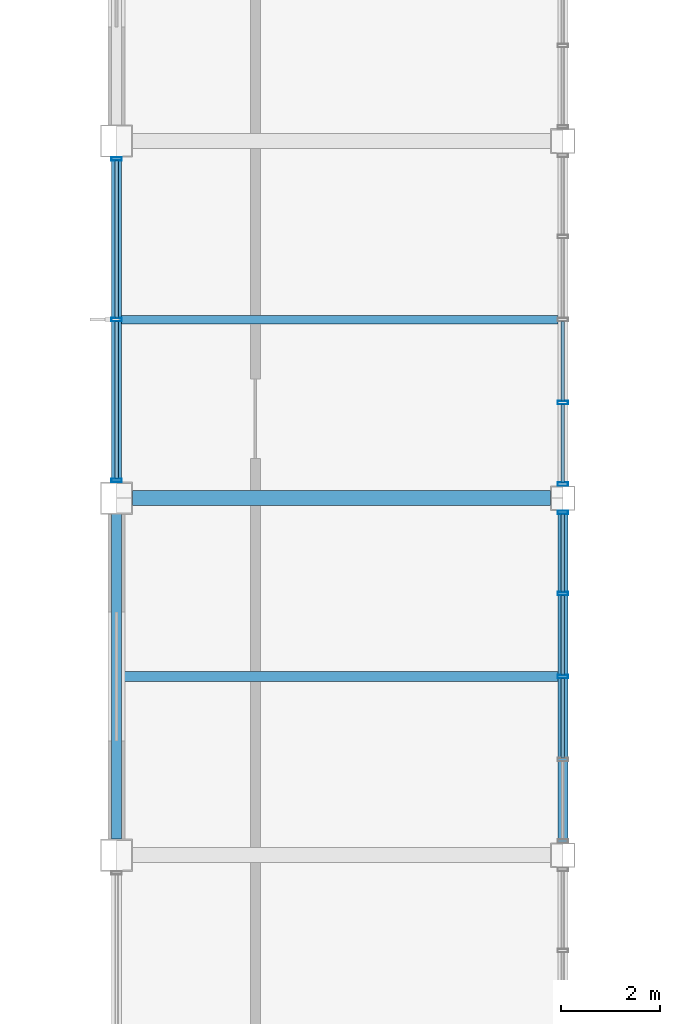
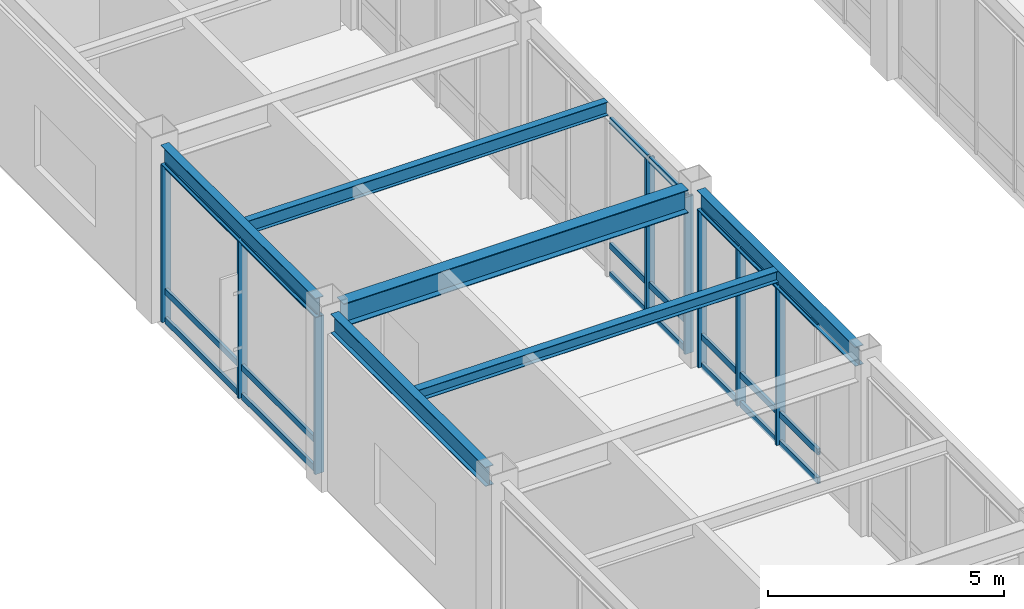
# One storey, part 43 of 112: 29 members, 6 beams, 3 elements without a shape of their own.
"""IFC4 building model written with IfcOpenShell, lengths in metres."""

from ifc_helpers import new_model, si_unit, direction, frame, origin, origin_2d, place, context, subcontext, project, spatial, hollow_rectangle, i_section, extrude, material, material_profile, profile_set, type_object, element, aggregate, save


model = new_model("IFC4")

# Units and contexts
model_context = context("Model", 3, precision=1e-05, world=origin(), true_north=direction((0.0, 1.0)))
body_context = subcontext(model_context, "Body", "Model", "MODEL_VIEW")
ifc_project = project(units=[si_unit("LENGTHUNIT", "METRE"), si_unit("AREAUNIT", "SQUARE_METRE"), si_unit("VOLUMEUNIT", "CUBIC_METRE"), si_unit("PLANEANGLEUNIT", "RADIAN"), si_unit("MASSUNIT", "GRAM", prefix="KILO")], contexts=[model_context])

# Site, building, storey
site_placement = place(None, origin())
site = spatial("IfcSite", under=ifc_project, at=site_placement, CompositionType="ELEMENT")
building_placement = place(site_placement, origin())
building = spatial("IfcBuilding", under=site, at=building_placement, Name="Kazanami Central Library", CompositionType="ELEMENT")
storey_placement = place(building_placement, origin())
storey = spatial("IfcBuildingStorey", under=building, at=storey_placement, Name="L01", CompositionType="ELEMENT", Elevation=0.0)

# Beams
ifc_material_1 = material(Name="Steel SN400B (235 MPa)", Category="steel")
ifc_material_profile_1 = material_profile(ifc_material_1, i_section(OverallWidth=0.175048828125, OverallDepth=0.35009765625, WebThickness=0.007080078125, FlangeThickness=0.010986328125, at=origin_2d()), Name="H-350x175x7x11")
ifc_profile_set_1 = profile_set([ifc_material_profile_1], Name="Steel SN400B (235 MPa)")
beam_type_1 = type_object("IfcBeamType", Name="BM-B-S2", PredefinedType="JOIST", material=ifc_profile_set_1)
beam_1_placement = place(storey_placement, frame((99.097900390625, 54.0, 4.3798828125), z_axis=(1.0, 0.0, 0.0), x_axis=(0.0, 1.0, 0.0)))
element("IfcBeam", 1, at=beam_1_placement, inside=storey, type_object=beam_type_1, Name="Composite Secondary Joist B-S2 L01 Bay 12/H.1", PredefinedType="JOIST", context=body_context, shape_type="SweptSolid", body=[
    extrude(i_section(OverallWidth=0.175048828125, OverallDepth=0.35009765625, WebThickness=0.007080078125, FlangeThickness=0.010986328125, at=origin_2d()), origin(), (0.0, 0.0, 1.0), 8.80419921875),
])
ifc_material_profile_2 = material_profile(ifc_material_1, i_section(OverallWidth=0.199951171875, OverallDepth=0.2939453125, WebThickness=0.008056640625, FlangeThickness=0.011962890625, at=origin_2d()), Name="H-294x200x8x12")
ifc_profile_set_2 = profile_set([ifc_material_profile_2], Name="Steel SN400B (235 MPa)")
beam_type_2 = type_object("IfcBeamType", Name="BM-B-S5", PredefinedType="JOIST", material=ifc_profile_set_2)
beam_2_placement = place(storey_placement, frame((99.097900390625, 46.800048828125, 4.407958984375), z_axis=(1.0, 0.0, 0.0), x_axis=(0.0, 1.0, 0.0)))
element("IfcBeam", 2, at=beam_2_placement, inside=storey, type_object=beam_type_2, Name="Composite Secondary Joist B-S5 L01 Bay 12/G.1", PredefinedType="JOIST", context=body_context, shape_type="SweptSolid", body=[
    extrude(i_section(OverallWidth=0.199951171875, OverallDepth=0.2939453125, WebThickness=0.008056640625, FlangeThickness=0.011962890625, at=origin_2d()), origin(), (0.0, 0.0, 1.0), 8.80419921875),
])
ifc_material_2 = material(Name="Steel SN490B (325 MPa)", Category="steel")
ifc_material_profile_3 = material_profile(ifc_material_2, i_section(OverallWidth=0.300048828125, OverallDepth=0.60009765625, WebThickness=0.011962890625, FlangeThickness=0.02001953125, at=origin_2d()), Name="H-600x300x12x20")
ifc_profile_set_3 = profile_set([ifc_material_profile_3], Name="Steel SN490B (325 MPa)")
beam_type_3 = type_object("IfcBeamType", Name="BM-G-X1", PredefinedType="BEAM", material=ifc_profile_set_3)
beam_3_placement = place(storey_placement, frame((99.322998046875, 50.39990234375, 4.2548828125), z_axis=(1.0, 0.0, 0.0), x_axis=(0.0, 1.0, 0.0)))
element("IfcBeam", 3, at=beam_3_placement, inside=storey, type_object=beam_type_3, Name="Girder G-X1 L01 H/12-13", PredefinedType="BEAM", context=body_context, shape_type="SweptSolid", body=[
    extrude(i_section(OverallWidth=0.300048828125, OverallDepth=0.60009765625, WebThickness=0.011962890625, FlangeThickness=0.02001953125, at=origin_2d()), origin(), (0.0, 0.0, 1.0), 8.428955078125),
])
ifc_material_profile_4 = material_profile(ifc_material_2, i_section(OverallWidth=0.199951171875, OverallDepth=0.5, WebThickness=0.010009765625, FlangeThickness=0.01611328125, at=origin_2d()), Name="H-500x200x10x16")
ifc_profile_set_4 = profile_set([ifc_material_profile_4], Name="Steel SN490B (325 MPa)")
beam_type_4 = type_object("IfcBeamType", Name="BM-SP-1", PredefinedType="SPANDREL", material=ifc_profile_set_4)
beam_4_placement = place(storey_placement, frame((99.0, 43.52294921875, 4.304931640625), z_axis=(0.0, 1.0, 0.0), x_axis=(-1.0, 0.0, 0.0)))
element("IfcBeam", 4, at=beam_4_placement, inside=storey, type_object=beam_type_4, Name="Girder SP-1 L01 12/G-H", PredefinedType="SPANDREL", context=body_context, shape_type="SweptSolid", body=[
    extrude(i_section(OverallWidth=0.199951171875, OverallDepth=0.5, WebThickness=0.010009765625, FlangeThickness=0.01611328125, at=origin_2d()), origin(), (0.0, 0.0, 1.0), 6.553955078125),
])
beam_5_placement = place(storey_placement, frame((99.0, 50.722900390625, 4.304931640625), z_axis=(0.0, 1.0, 0.0), x_axis=(-1.0, 0.0, 0.0)))
element("IfcBeam", 5, at=beam_5_placement, inside=storey, type_object=beam_type_4, Name="Girder SP-1 L01 12/H-J", PredefinedType="SPANDREL", context=body_context, shape_type="SweptSolid", body=[
    extrude(i_section(OverallWidth=0.199951171875, OverallDepth=0.5, WebThickness=0.010009765625, FlangeThickness=0.01611328125, at=origin_2d()), origin(), (0.0, 0.0, 1.0), 6.55419921875),
])
beam_6_placement = place(storey_placement, frame((108.0, 43.447998046875, 4.304931640625), z_axis=(0.0, 1.0, 0.0), x_axis=(-1.0, 0.0, 0.0)))
element("IfcBeam", 6, at=beam_6_placement, inside=storey, type_object=beam_type_4, Name="Girder SP-1 L01 13/G-H", PredefinedType="SPANDREL", context=body_context, shape_type="SweptSolid", body=[
    extrude(i_section(OverallWidth=0.199951171875, OverallDepth=0.5, WebThickness=0.010009765625, FlangeThickness=0.01611328125, at=origin_2d()), origin(), (0.0, 0.0, 1.0), 6.7041015625),
])

# Curtain wall, members
ifc_material_3 = material(Name="Acid-Etched Low-E Laminated Glass", Category="glass")
curtain_wall_type_1 = type_object("IfcCurtainWallType", Name="CW-6550x4055-M275", PredefinedType="USERDEFINED", material=ifc_material_3)
curtain_wall_1_placement = place(storey_placement, origin())
curtain_wall_1 = element("IfcCurtainWall", 7, at=curtain_wall_1_placement, inside=storey, type_object=curtain_wall_type_1, Name="Unitised Curtain Wall CW-10 L01 W-12-07", ObjectType="UNITISED CURTAIN WALL", PredefinedType="USERDEFINED")
ifc_material_4 = material(Name="Anodised Aluminium A6063-T5", Category="aluminium")
ifc_material_profile_5 = material_profile(ifc_material_4, hollow_rectangle(XDim=0.070068359375, YDim=0.2099609375, WallThickness=0.0048828125, at=origin_2d()), Name="ALU-MULL-70x210x5")
ifc_profile_set_5 = profile_set([ifc_material_profile_5], Name="Anodised Aluminium A6063-T5")
member_type_1 = type_object("IfcMemberType", Name="MEM-CW-M1", PredefinedType="MULLION", material=ifc_profile_set_5)
member_1_placement = place(storey_placement, frame((99.0, 50.760009765625, 0.0), z_axis=(0.0, 0.0, 1.0), x_axis=(0.0, 1.0, 0.0)))
member_1 = element("IfcMember", 8, at=member_1_placement, type_object=member_type_1, Name="CW-10 mullion 1", PredefinedType="MULLION", context=body_context, shape_type="SweptSolid", body=[
    extrude(hollow_rectangle(XDim=0.070068359375, YDim=0.2099609375, WallThickness=0.0048828125, at=origin_2d()), origin(), (0.0, 0.0, 1.0), 4.054931640625),
])
member_2_placement = place(storey_placement, frame((99.0, 54.0, 0.0), z_axis=(0.0, 0.0, 1.0), x_axis=(0.0, 1.0, 0.0)))
member_2 = element("IfcMember", 9, at=member_2_placement, type_object=member_type_1, Name="CW-10 mullion 2", PredefinedType="MULLION", context=body_context, shape_type="SweptSolid", body=[
    extrude(hollow_rectangle(XDim=0.070068359375, YDim=0.2099609375, WallThickness=0.0048828125, at=origin_2d()), origin(), (0.0, 0.0, 1.0), 4.054931640625),
])
member_3_placement = place(storey_placement, frame((99.0, 57.239990234375, 0.0), z_axis=(0.0, 0.0, 1.0), x_axis=(0.0, 1.0, 0.0)))
member_3 = element("IfcMember", 10, at=member_3_placement, type_object=member_type_1, Name="CW-10 mullion 3", PredefinedType="MULLION", context=body_context, shape_type="SweptSolid", body=[
    extrude(hollow_rectangle(XDim=0.070068359375, YDim=0.2099609375, WallThickness=0.0048828125, at=origin_2d()), origin(), (0.0, 0.0, 1.0), 4.054931640625),
])

curtain_wall_type_2 = type_object("IfcCurtainWallType", Name="CW-6700x4055-M180", PredefinedType="USERDEFINED", material=ifc_material_3)
curtain_wall_2_placement = place(storey_placement, origin())
curtain_wall_2 = element("IfcCurtainWall", 11, at=curtain_wall_2_placement, inside=storey, type_object=curtain_wall_type_2, Name="Covered Link Bridge Curtain Wall CW-09 L01 E-13-06", ObjectType="UNITISED CURTAIN WALL", PredefinedType="USERDEFINED")
member_4_placement = place(storey_placement, frame((108.0, 50.114990234375, 0.0), z_axis=(0.0, 0.0, 1.0), x_axis=(0.0, -1.0, 0.0)))
member_4 = element("IfcMember", 12, at=member_4_placement, type_object=member_type_1, Name="CW-09 mullion 1", PredefinedType="MULLION", context=body_context, shape_type="SweptSolid", body=[
    extrude(hollow_rectangle(XDim=0.070068359375, YDim=0.2099609375, WallThickness=0.0048828125, at=origin_2d()), origin(), (0.0, 0.0, 1.0), 4.054931640625),
])
member_5_placement = place(storey_placement, frame((108.0, 48.47509765625, 0.0), z_axis=(0.0, 0.0, 1.0), x_axis=(0.0, -1.0, 0.0)))
member_5 = element("IfcMember", 13, at=member_5_placement, type_object=member_type_1, Name="CW-09 mullion 2", PredefinedType="MULLION", context=body_context, shape_type="SweptSolid", body=[
    extrude(hollow_rectangle(XDim=0.070068359375, YDim=0.2099609375, WallThickness=0.0048828125, at=origin_2d()), origin(), (0.0, 0.0, 1.0), 4.054931640625),
])
member_6_placement = place(storey_placement, frame((108.0, 46.800048828125, 0.0), z_axis=(0.0, 0.0, 1.0), x_axis=(0.0, -1.0, 0.0)))
member_6 = element("IfcMember", 14, at=member_6_placement, type_object=member_type_1, Name="CW-09 mullion 3", PredefinedType="MULLION", context=body_context, shape_type="SweptSolid", body=[
    extrude(hollow_rectangle(XDim=0.070068359375, YDim=0.2099609375, WallThickness=0.0048828125, at=origin_2d()), origin(), (0.0, 0.0, 1.0), 4.054931640625),
])

curtain_wall_3_placement = place(storey_placement, origin())
curtain_wall_3 = element("IfcCurtainWall", 15, at=curtain_wall_3_placement, inside=storey, type_object=curtain_wall_type_2, Name="Covered Link Bridge Curtain Wall CW-09 L01 E-13-07", ObjectType="UNITISED CURTAIN WALL", PredefinedType="USERDEFINED")
member_7_placement = place(storey_placement, frame((108.0, 52.324951171875, 0.0), z_axis=(0.0, 0.0, 1.0), x_axis=(0.0, -1.0, 0.0)))
member_7 = element("IfcMember", 16, at=member_7_placement, type_object=member_type_1, Name="CW-09 mullion 4", PredefinedType="MULLION", context=body_context, shape_type="SweptSolid", body=[
    extrude(hollow_rectangle(XDim=0.070068359375, YDim=0.2099609375, WallThickness=0.0048828125, at=origin_2d()), origin(), (0.0, 0.0, 1.0), 4.054931640625),
])
member_8_placement = place(storey_placement, frame((108.0, 50.68505859375, 0.0), z_axis=(0.0, 0.0, 1.0), x_axis=(0.0, -1.0, 0.0)))
member_8 = element("IfcMember", 17, at=member_8_placement, type_object=member_type_1, Name="CW-09 mullion 5", PredefinedType="MULLION", context=body_context, shape_type="SweptSolid", body=[
    extrude(hollow_rectangle(XDim=0.070068359375, YDim=0.2099609375, WallThickness=0.0048828125, at=origin_2d()), origin(), (0.0, 0.0, 1.0), 4.054931640625),
])

# Member
ifc_material_profile_6 = material_profile(ifc_material_4, hollow_rectangle(XDim=0.070068359375, YDim=0.159912109375, WallThickness=0.00390625, at=origin_2d()), Name="ALU-TRAN-70x160x4")
ifc_profile_set_6 = profile_set([ifc_material_profile_6], Name="Anodised Aluminium A6063-T5")
member_type_2 = type_object("IfcMemberType", Name="MEM-CW-T1", PredefinedType="USERDEFINED", material=ifc_profile_set_6)
member_9_placement = place(storey_placement, frame((99.0, 50.794921875, 0.034912109375), z_axis=(0.0, 1.0, 0.0), x_axis=(-1.0, 0.0, 0.0)))
member_9 = element("IfcMember", 18, at=member_9_placement, type_object=member_type_2, Name="CW-10 transom 1.1", ObjectType="TRANSOM", PredefinedType="USERDEFINED", context=body_context, shape_type="SweptSolid", body=[
    extrude(hollow_rectangle(XDim=0.070068359375, YDim=0.159912109375, WallThickness=0.00390625, at=origin_2d()), origin(), (0.0, 0.0, 1.0), 3.170166015625),
])

member_10_placement = place(storey_placement, frame((99.0, 50.794921875, 0.780029296875), z_axis=(0.0, 1.0, 0.0), x_axis=(-1.0, 0.0, 0.0)))
member_10 = element("IfcMember", 19, at=member_10_placement, type_object=member_type_2, Name="CW-10 transom 1.2", ObjectType="TRANSOM", PredefinedType="USERDEFINED", context=body_context, shape_type="SweptSolid", body=[
    extrude(hollow_rectangle(XDim=0.070068359375, YDim=0.159912109375, WallThickness=0.00390625, at=origin_2d()), origin(), (0.0, 0.0, 1.0), 3.170166015625),
])

member_11_placement = place(storey_placement, frame((99.0, 50.794921875, 4.02001953125), z_axis=(0.0, 1.0, 0.0), x_axis=(-1.0, 0.0, 0.0)))
member_11 = element("IfcMember", 20, at=member_11_placement, type_object=member_type_2, Name="CW-10 transom 1.3", ObjectType="TRANSOM", PredefinedType="USERDEFINED", context=body_context, shape_type="SweptSolid", body=[
    extrude(hollow_rectangle(XDim=0.070068359375, YDim=0.159912109375, WallThickness=0.00390625, at=origin_2d()), origin(), (0.0, 0.0, 1.0), 3.170166015625),
])

member_12_placement = place(storey_placement, frame((99.0, 54.034912109375, 0.034912109375), z_axis=(0.0, 1.0, 0.0), x_axis=(-1.0, 0.0, 0.0)))
member_12 = element("IfcMember", 21, at=member_12_placement, type_object=member_type_2, Name="CW-10 transom 2.1", ObjectType="TRANSOM", PredefinedType="USERDEFINED", context=body_context, shape_type="SweptSolid", body=[
    extrude(hollow_rectangle(XDim=0.070068359375, YDim=0.159912109375, WallThickness=0.00390625, at=origin_2d()), origin(), (0.0, 0.0, 1.0), 3.170166015625),
])

member_13_placement = place(storey_placement, frame((99.0, 54.034912109375, 0.780029296875), z_axis=(0.0, 1.0, 0.0), x_axis=(-1.0, 0.0, 0.0)))
member_13 = element("IfcMember", 22, at=member_13_placement, type_object=member_type_2, Name="CW-10 transom 2.2", ObjectType="TRANSOM", PredefinedType="USERDEFINED", context=body_context, shape_type="SweptSolid", body=[
    extrude(hollow_rectangle(XDim=0.070068359375, YDim=0.159912109375, WallThickness=0.00390625, at=origin_2d()), origin(), (0.0, 0.0, 1.0), 3.170166015625),
])

member_14_placement = place(storey_placement, frame((99.0, 54.034912109375, 4.02001953125), z_axis=(0.0, 1.0, 0.0), x_axis=(-1.0, 0.0, 0.0)))
member_14 = element("IfcMember", 23, at=member_14_placement, type_object=member_type_2, Name="CW-10 transom 2.3", ObjectType="TRANSOM", PredefinedType="USERDEFINED", context=body_context, shape_type="SweptSolid", body=[
    extrude(hollow_rectangle(XDim=0.070068359375, YDim=0.159912109375, WallThickness=0.00390625, at=origin_2d()), origin(), (0.0, 0.0, 1.0), 3.170166015625),
])

aggregate(curtain_wall_1, [member_1, member_2, member_3, member_9, member_10, member_11, member_12, member_13, member_14])

member_15_placement = place(storey_placement, frame((108.0, 50.080078125, 0.034912109375), z_axis=(0.0, -1.0, 0.0), x_axis=(1.0, 0.0, 0.0)))
member_15 = element("IfcMember", 24, at=member_15_placement, type_object=member_type_2, Name="CW-09 transom 1.1", ObjectType="TRANSOM", PredefinedType="USERDEFINED", context=body_context, shape_type="SweptSolid", body=[
    extrude(hollow_rectangle(XDim=0.070068359375, YDim=0.159912109375, WallThickness=0.00390625, at=origin_2d()), origin(), (0.0, 0.0, 1.0), 1.570068359375),
])

member_16_placement = place(storey_placement, frame((108.0, 50.080078125, 0.780029296875), z_axis=(0.0, -1.0, 0.0), x_axis=(1.0, 0.0, 0.0)))
member_16 = element("IfcMember", 25, at=member_16_placement, type_object=member_type_2, Name="CW-09 transom 1.2", ObjectType="TRANSOM", PredefinedType="USERDEFINED", context=body_context, shape_type="SweptSolid", body=[
    extrude(hollow_rectangle(XDim=0.070068359375, YDim=0.159912109375, WallThickness=0.00390625, at=origin_2d()), origin(), (0.0, 0.0, 1.0), 1.570068359375),
])

member_17_placement = place(storey_placement, frame((108.0, 50.080078125, 4.02001953125), z_axis=(0.0, -1.0, 0.0), x_axis=(1.0, 0.0, 0.0)))
member_17 = element("IfcMember", 26, at=member_17_placement, type_object=member_type_2, Name="CW-09 transom 1.3", ObjectType="TRANSOM", PredefinedType="USERDEFINED", context=body_context, shape_type="SweptSolid", body=[
    extrude(hollow_rectangle(XDim=0.070068359375, YDim=0.159912109375, WallThickness=0.00390625, at=origin_2d()), origin(), (0.0, 0.0, 1.0), 1.570068359375),
])

member_18_placement = place(storey_placement, frame((108.0, 48.43994140625, 0.034912109375), z_axis=(0.0, -1.0, 0.0), x_axis=(1.0, 0.0, 0.0)))
member_18 = element("IfcMember", 27, at=member_18_placement, type_object=member_type_2, Name="CW-09 transom 2.1", ObjectType="TRANSOM", PredefinedType="USERDEFINED", context=body_context, shape_type="SweptSolid", body=[
    extrude(hollow_rectangle(XDim=0.070068359375, YDim=0.159912109375, WallThickness=0.00390625, at=origin_2d()), origin(), (0.0, 0.0, 1.0), 1.60498046875),
])

member_19_placement = place(storey_placement, frame((108.0, 48.43994140625, 0.780029296875), z_axis=(0.0, -1.0, 0.0), x_axis=(1.0, 0.0, 0.0)))
member_19 = element("IfcMember", 28, at=member_19_placement, type_object=member_type_2, Name="CW-09 transom 2.2", ObjectType="TRANSOM", PredefinedType="USERDEFINED", context=body_context, shape_type="SweptSolid", body=[
    extrude(hollow_rectangle(XDim=0.070068359375, YDim=0.159912109375, WallThickness=0.00390625, at=origin_2d()), origin(), (0.0, 0.0, 1.0), 1.60498046875),
])

member_20_placement = place(storey_placement, frame((108.0, 48.43994140625, 4.02001953125), z_axis=(0.0, -1.0, 0.0), x_axis=(1.0, 0.0, 0.0)))
member_20 = element("IfcMember", 29, at=member_20_placement, type_object=member_type_2, Name="CW-09 transom 2.3", ObjectType="TRANSOM", PredefinedType="USERDEFINED", context=body_context, shape_type="SweptSolid", body=[
    extrude(hollow_rectangle(XDim=0.070068359375, YDim=0.159912109375, WallThickness=0.00390625, at=origin_2d()), origin(), (0.0, 0.0, 1.0), 1.60498046875),
])

member_21_placement = place(storey_placement, frame((108.0, 46.764892578125, 0.034912109375), z_axis=(0.0, -1.0, 0.0), x_axis=(1.0, 0.0, 0.0)))
member_21 = element("IfcMember", 30, at=member_21_placement, type_object=member_type_2, Name="CW-09 transom 3.1", ObjectType="TRANSOM", PredefinedType="USERDEFINED", context=body_context, shape_type="SweptSolid", body=[
    extrude(hollow_rectangle(XDim=0.070068359375, YDim=0.159912109375, WallThickness=0.00390625, at=origin_2d()), origin(), (0.0, 0.0, 1.0), 1.60498046875),
])

member_22_placement = place(storey_placement, frame((108.0, 46.764892578125, 0.780029296875), z_axis=(0.0, -1.0, 0.0), x_axis=(1.0, 0.0, 0.0)))
member_22 = element("IfcMember", 31, at=member_22_placement, type_object=member_type_2, Name="CW-09 transom 3.2", ObjectType="TRANSOM", PredefinedType="USERDEFINED", context=body_context, shape_type="SweptSolid", body=[
    extrude(hollow_rectangle(XDim=0.070068359375, YDim=0.159912109375, WallThickness=0.00390625, at=origin_2d()), origin(), (0.0, 0.0, 1.0), 1.60498046875),
])

member_23_placement = place(storey_placement, frame((108.0, 46.764892578125, 4.02001953125), z_axis=(0.0, -1.0, 0.0), x_axis=(1.0, 0.0, 0.0)))
member_23 = element("IfcMember", 32, at=member_23_placement, type_object=member_type_2, Name="CW-09 transom 3.3", ObjectType="TRANSOM", PredefinedType="USERDEFINED", context=body_context, shape_type="SweptSolid", body=[
    extrude(hollow_rectangle(XDim=0.070068359375, YDim=0.159912109375, WallThickness=0.00390625, at=origin_2d()), origin(), (0.0, 0.0, 1.0), 1.60498046875),
])

aggregate(curtain_wall_2, [member_4, member_5, member_6, member_15, member_16, member_17, member_18, member_19, member_20, member_21, member_22, member_23])

member_24_placement = place(storey_placement, frame((108.0, 53.965087890625, 0.034912109375), z_axis=(0.0, -1.0, 0.0), x_axis=(1.0, 0.0, 0.0)))
member_24 = element("IfcMember", 33, at=member_24_placement, type_object=member_type_2, Name="CW-09 transom 3.1", ObjectType="TRANSOM", PredefinedType="USERDEFINED", context=body_context, shape_type="SweptSolid", body=[
    extrude(hollow_rectangle(XDim=0.070068359375, YDim=0.159912109375, WallThickness=0.00390625, at=origin_2d()), origin(), (0.0, 0.0, 1.0), 1.60498046875),
])

member_25_placement = place(storey_placement, frame((108.0, 53.965087890625, 0.780029296875), z_axis=(0.0, -1.0, 0.0), x_axis=(1.0, 0.0, 0.0)))
member_25 = element("IfcMember", 34, at=member_25_placement, type_object=member_type_2, Name="CW-09 transom 3.2", ObjectType="TRANSOM", PredefinedType="USERDEFINED", context=body_context, shape_type="SweptSolid", body=[
    extrude(hollow_rectangle(XDim=0.070068359375, YDim=0.159912109375, WallThickness=0.00390625, at=origin_2d()), origin(), (0.0, 0.0, 1.0), 1.60498046875),
])

member_26_placement = place(storey_placement, frame((108.0, 53.965087890625, 4.02001953125), z_axis=(0.0, -1.0, 0.0), x_axis=(1.0, 0.0, 0.0)))
member_26 = element("IfcMember", 35, at=member_26_placement, type_object=member_type_2, Name="CW-09 transom 3.3", ObjectType="TRANSOM", PredefinedType="USERDEFINED", context=body_context, shape_type="SweptSolid", body=[
    extrude(hollow_rectangle(XDim=0.070068359375, YDim=0.159912109375, WallThickness=0.00390625, at=origin_2d()), origin(), (0.0, 0.0, 1.0), 1.60498046875),
])

member_27_placement = place(storey_placement, frame((108.0, 52.2900390625, 0.034912109375), z_axis=(0.0, -1.0, 0.0), x_axis=(1.0, 0.0, 0.0)))
member_27 = element("IfcMember", 36, at=member_27_placement, type_object=member_type_2, Name="CW-09 transom 4.1", ObjectType="TRANSOM", PredefinedType="USERDEFINED", context=body_context, shape_type="SweptSolid", body=[
    extrude(hollow_rectangle(XDim=0.070068359375, YDim=0.159912109375, WallThickness=0.00390625, at=origin_2d()), origin(), (0.0, 0.0, 1.0), 1.570068359375),
])

member_28_placement = place(storey_placement, frame((108.0, 52.2900390625, 0.780029296875), z_axis=(0.0, -1.0, 0.0), x_axis=(1.0, 0.0, 0.0)))
member_28 = element("IfcMember", 37, at=member_28_placement, type_object=member_type_2, Name="CW-09 transom 4.2", ObjectType="TRANSOM", PredefinedType="USERDEFINED", context=body_context, shape_type="SweptSolid", body=[
    extrude(hollow_rectangle(XDim=0.070068359375, YDim=0.159912109375, WallThickness=0.00390625, at=origin_2d()), origin(), (0.0, 0.0, 1.0), 1.570068359375),
])

member_29_placement = place(storey_placement, frame((108.0, 52.2900390625, 4.02001953125), z_axis=(0.0, -1.0, 0.0), x_axis=(1.0, 0.0, 0.0)))
member_29 = element("IfcMember", 38, at=member_29_placement, type_object=member_type_2, Name="CW-09 transom 4.3", ObjectType="TRANSOM", PredefinedType="USERDEFINED", context=body_context, shape_type="SweptSolid", body=[
    extrude(hollow_rectangle(XDim=0.070068359375, YDim=0.159912109375, WallThickness=0.00390625, at=origin_2d()), origin(), (0.0, 0.0, 1.0), 1.570068359375),
])

aggregate(curtain_wall_3, [member_7, member_8, member_24, member_25, member_26, member_27, member_28, member_29])

save(model, "model.ifc")
